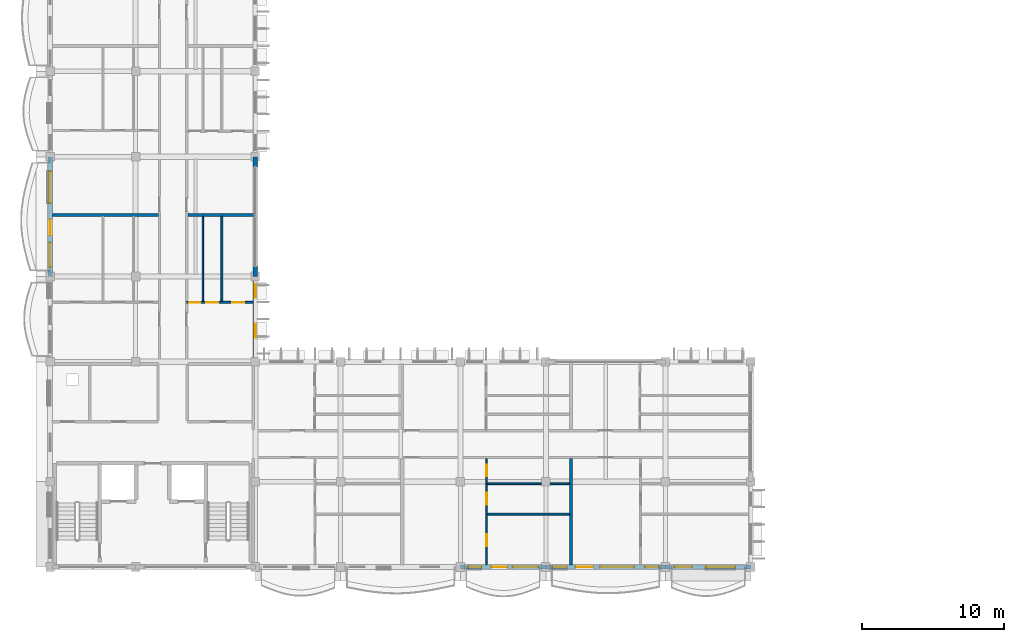
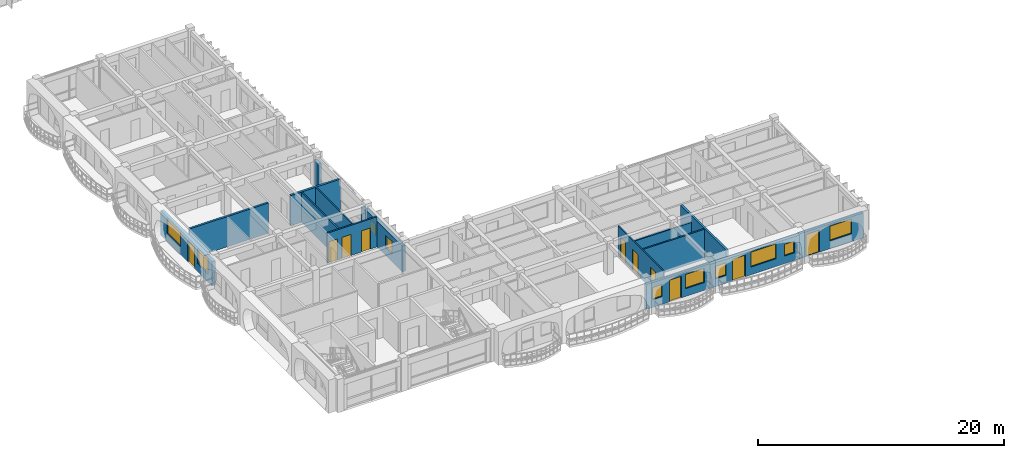
# One storey, part 25 of 76: 16 walls, 10 doors, 10 windows, 20 openings.
"""IFC4 building model written with IfcOpenShell, lengths in metres."""

from ifc_helpers import new_model, si_unit, direction, frame, frame_2d, origin, place, context, subcontext, project, spatial, rectangle, extrude, material, layer, layer_set, type_object, element, fill, save


model = new_model("IFC4")

# Units and contexts
model_context = context("Model", 3, precision=1e-05, world=origin(), true_north=direction((0.0, 1.0)))
body_context = subcontext(model_context, "Body", "Model", "MODEL_VIEW")
ifc_project = project(units=[si_unit("LENGTHUNIT", "METRE"), si_unit("AREAUNIT", "SQUARE_METRE"), si_unit("VOLUMEUNIT", "CUBIC_METRE"), si_unit("PLANEANGLEUNIT", "RADIAN"), si_unit("MASSUNIT", "GRAM", prefix="KILO"), si_unit("THERMODYNAMICTEMPERATUREUNIT", "KELVIN")], contexts=[model_context])

# Site, building, storey
site_placement = place(None, origin())
site = spatial("IfcSite", under=ifc_project, at=site_placement, CompositionType="ELEMENT")
building_placement = place(site_placement, origin())
building = spatial("IfcBuilding", under=site, at=building_placement, Name="Thalorik Housing Commons", CompositionType="ELEMENT")
storey_placement = place(building_placement, frame((0.0, 0.0, 18.0)))
storey = spatial("IfcBuildingStorey", under=building, at=storey_placement, Name="L05", CompositionType="ELEMENT", Elevation=18.0)

# Wall, openings, windows
ifc_material_1 = material(Name="White precast concrete C40/50", Category="concrete")
ifc_layer_1 = layer(ifc_material_1, 0.304931640625, Name="White precast concrete C40/50", Category="concrete")
ifc_layer_set_1 = layer_set([ifc_layer_1], Name="White precast concrete C40/50")
wall_type_1 = type_object("IfcWallType", Name="ARC-WAL-EXT-305", PredefinedType="STANDARD", material=ifc_layer_set_1)
wall_1_placement = place(storey_placement, frame((22.800048828125, 22.800048828125, 0.0), z_axis=(0.0, 0.0, 1.0), x_axis=(0.0, 1.0, 0.0)))
wall_1 = element("IfcWall", 1, at=wall_1_placement, inside=storey, type_object=wall_type_1, Name="L05 Exterior Wall WAL-EXT-L05-C-0961", PredefinedType="STANDARD", context=body_context, shape_type="SweptSolid", body=[
    extrude(rectangle(XDim=6.0, YDim=0.304931640625, at=frame_2d((3.0, 0.0))), origin(), (0.0, 0.0, 1.0), 2.574951171875),
])
opening_1_placement = place(wall_1_placement, frame((1.685302734375, 0.0, 0.780029296875)))
opening_1 = element("IfcOpeningElement", 2, at=opening_1_placement, cuts=wall_1, Name="Opening W-02", PredefinedType="OPENING", context=body_context, shape_type="SweptSolid", body=[
    extrude(rectangle(XDim=1.0, YDim=1.25, at=frame_2d((0.5, 0.625))), frame((0.0, 0.16259765625, 0.0), z_axis=(0.0, -1.0, 0.0), x_axis=(1.0, 0.0, 0.0)), (0.0, 0.0, 1.0), 0.324951171875),
])
opening_2_placement = place(wall_1_placement, frame((4.5205078125, 0.0, 0.780029296875)))
opening_2 = element("IfcOpeningElement", 3, at=opening_2_placement, cuts=wall_1, Name="Opening W-43", PredefinedType="OPENING", context=body_context, shape_type="SweptSolid", body=[
    extrude(rectangle(XDim=0.949951171875, YDim=1.14990234375, at=frame_2d((0.47509765625, 0.574951171875))), frame((0.0, 0.16259765625, 0.0), z_axis=(0.0, -1.0, 0.0), x_axis=(1.0, 0.0, 0.0)), (0.0, 0.0, 1.0), 0.324951171875),
])
ifc_material_2 = material(Name="Anodised aluminium and solar-control low-E glass", Category="aluminium")
window_type_1 = type_object("IfcWindowType", Name="ARC-WIN-02", PartitioningType="SINGLE_PANEL", PredefinedType="WINDOW", material=ifc_material_2)
window_1_placement = place(opening_1_placement, origin())
window_1 = element("IfcWindow", 4, at=window_1_placement, inside=storey, type_object=window_type_1, Name="L05 Facade Window 1778", OverallHeight=1.25, OverallWidth=1.0, PartitioningType="SINGLE_PANEL", PredefinedType="WINDOW", context=body_context, shape_type="SweptSolid", body=[
    extrude(rectangle(XDim=1.0, YDim=1.25, at=frame_2d((0.5, 0.625))), frame((0.0, 0.030029296875, 0.0), z_axis=(0.0, -1.0, 0.0), x_axis=(1.0, 0.0, 0.0)), (0.0, 0.0, 1.0), 0.06005859375),
])
fill(opening_1, window_1)
window_type_2 = type_object("IfcWindowType", Name="ARC-WIN-43", PartitioningType="SINGLE_PANEL", PredefinedType="WINDOW", material=ifc_material_2)
window_2_placement = place(opening_2_placement, origin())
window_2 = element("IfcWindow", 5, at=window_2_placement, inside=storey, type_object=window_type_2, Name="L05 Facade Window 1779", OverallHeight=1.14990234375, OverallWidth=0.949951171875, PartitioningType="SINGLE_PANEL", PredefinedType="WINDOW", context=body_context, shape_type="SweptSolid", body=[
    extrude(rectangle(XDim=0.949951171875, YDim=1.14990234375, at=frame_2d((0.47509765625, 0.574951171875))), frame((0.0, 0.030029296875, 0.0), z_axis=(0.0, -1.0, 0.0), x_axis=(1.0, 0.0, 0.0)), (0.0, 0.0, 1.0), 0.06005859375),
])
fill(opening_2, window_2)

# Walls
for number, where, z_axis, x_axis, name in (
    (6, (22.800048828125, 28.800048828125, 0.0), (0.0, 0.0, 1.0), (0.0, 1.0, 0.0), "L05 Exterior Wall WAL-PIERL-L05-C-0962"),
    (7, (22.800048828125, 36.5, 0.0), (0.0, 0.0, 1.0), (0.0, 1.0, 0.0), "L05 Exterior Wall WAL-PIERR-L05-C-0962"),
):
    element("IfcWall", number, at=place(storey_placement, frame(where, z_axis=z_axis, x_axis=x_axis)), inside=storey, type_object=wall_type_1, Name=name, PredefinedType="STANDARD", context=body_context, shape_type="SweptSolid", body=[
        extrude(rectangle(XDim=0.699951171875, YDim=0.304931640625, at=frame_2d((0.35009765625, 0.0))), origin(), (0.0, 0.0, 1.0), 2.425048828125),
    ])

# Wall, openings, door, windows
wall_2_placement = place(storey_placement, frame((8.39990234375, 37.199951171875, 0.0), z_axis=(0.0, 0.0, 1.0), x_axis=(0.0, -1.0, 0.0)))
wall_2 = element("IfcWall", 8, at=wall_2_placement, inside=storey, type_object=wall_type_1, Name="L05 Exterior Wall WAL-EXT-L05-C-0971", PredefinedType="STANDARD", context=body_context, shape_type="SweptSolid", body=[
    extrude(rectangle(XDim=8.39990234375, YDim=0.304931640625, at=frame_2d((4.199951171875, 0.0))), origin(), (0.0, 0.0, 1.0), 2.425048828125),
])
opening_3_placement = place(wall_2_placement, frame((4.409912109375, 0.0, 0.0)))
opening_3 = element("IfcOpeningElement", 9, at=opening_3_placement, cuts=wall_2, Name="Opening ED-0321", PredefinedType="OPENING", context=body_context, shape_type="SweptSolid", body=[
    extrude(rectangle(XDim=1.10009765625, YDim=2.14990234375, at=frame_2d((0.550048828125, 1.074951171875))), frame((0.0, 0.16259765625, 0.0), z_axis=(0.0, -1.0, 0.0), x_axis=(1.0, 0.0, 0.0)), (0.0, 0.0, 1.0), 0.324951171875),
])
opening_4_placement = place(wall_2_placement, frame((1.014892578125, 0.0, 0.780029296875)))
opening_4 = element("IfcOpeningElement", 10, at=opening_4_placement, cuts=wall_2, Name="Opening W-66", PredefinedType="OPENING", context=body_context, shape_type="SweptSolid", body=[
    extrude(rectangle(XDim=2.239990234375, YDim=1.52001953125, at=frame_2d((1.1201171875, 0.760009765625))), frame((0.0, 0.16259765625, 0.0), z_axis=(0.0, -1.0, 0.0), x_axis=(1.0, 0.0, 0.0)), (0.0, 0.0, 1.0), 0.324951171875),
])
opening_5_placement = place(wall_2_placement, frame((6.02490234375, 0.0, 0.780029296875)))
opening_5 = element("IfcOpeningElement", 11, at=opening_5_placement, cuts=wall_2, Name="Opening W-56", PredefinedType="OPENING", context=body_context, shape_type="SweptSolid", body=[
    extrude(rectangle(XDim=1.719970703125, YDim=1.52001953125, at=frame_2d((0.85986328125, 0.760009765625))), frame((0.0, 0.16259765625, 0.0), z_axis=(0.0, -1.0, 0.0), x_axis=(1.0, 0.0, 0.0)), (0.0, 0.0, 1.0), 0.324951171875),
])
ifc_material_3 = material(Name="Anodised aluminium and laminated safety glass", Category="aluminium")
door_type_1 = type_object("IfcDoorType", Name="ARC-DR-BAL-1100", OperationType="NOTDEFINED", PredefinedType="DOOR", material=ifc_material_3)
door_1_placement = place(opening_3_placement, frame((1.10009765625, 0.0, 0.0), z_axis=(0.0, 0.0, 1.0), x_axis=(-1.0, 0.0, 0.0)))
door_1 = element("IfcDoor", 12, at=door_1_placement, inside=storey, type_object=door_type_1, Name="L05 Block C Balcony Glazed Door", OperationType="SINGLE_SWING_RIGHT", OverallHeight=2.14990234375, OverallWidth=1.10009765625, PredefinedType="DOOR", context=body_context, shape_type="SweptSolid", body=[
    extrude(rectangle(XDim=1.10009765625, YDim=2.14990234375, at=frame_2d((0.550048828125, 1.074951171875))), frame((0.0, 0.02490234375, 0.0), z_axis=(0.0, -1.0, 0.0), x_axis=(1.0, 0.0, 0.0)), (0.0, 0.0, 1.0), 0.050048828125),
])
fill(opening_3, door_1)
window_type_3 = type_object("IfcWindowType", Name="ARC-WIN-56", PartitioningType="DOUBLE_PANEL_VERTICAL", PredefinedType="WINDOW", material=ifc_material_2)
window_3_placement = place(opening_5_placement, origin())
window_3 = element("IfcWindow", 13, at=window_3_placement, inside=storey, type_object=window_type_3, Name="L05 Facade Window 1798", OverallHeight=1.52001953125, OverallWidth=1.719970703125, PartitioningType="DOUBLE_PANEL_VERTICAL", PredefinedType="WINDOW", context=body_context, shape_type="SweptSolid", body=[
    extrude(rectangle(XDim=1.719970703125, YDim=1.52001953125, at=frame_2d((0.85986328125, 0.760009765625))), frame((0.0, 0.030029296875, 0.0), z_axis=(0.0, -1.0, 0.0), x_axis=(1.0, 0.0, 0.0)), (0.0, 0.0, 1.0), 0.06005859375),
])
fill(opening_5, window_3)
window_type_4 = type_object("IfcWindowType", Name="ARC-WIN-66", PartitioningType="DOUBLE_PANEL_VERTICAL", PredefinedType="WINDOW", material=ifc_material_2)
window_4_placement = place(opening_4_placement, origin())
window_4 = element("IfcWindow", 14, at=window_4_placement, inside=storey, type_object=window_type_4, Name="L05 Facade Window 1797", OverallHeight=1.52001953125, OverallWidth=2.239990234375, PartitioningType="DOUBLE_PANEL_VERTICAL", PredefinedType="WINDOW", context=body_context, shape_type="SweptSolid", body=[
    extrude(rectangle(XDim=2.239990234375, YDim=1.52001953125, at=frame_2d((1.1201171875, 0.760009765625))), frame((0.0, 0.030029296875, 0.0), z_axis=(0.0, -1.0, 0.0), x_axis=(1.0, 0.0, 0.0)), (0.0, 0.0, 1.0), 0.06005859375),
])
fill(opening_4, window_4)

wall_3_placement = place(storey_placement, frame((37.199951171875, 8.39990234375, 0.0), z_axis=(0.0, 0.0, 1.0), x_axis=(1.0, 0.0, 0.0)))
wall_3 = element("IfcWall", 15, at=wall_3_placement, inside=storey, type_object=wall_type_1, Name="L05 Exterior Wall WAL-EXT-L05-C-0979", PredefinedType="STANDARD", context=body_context, shape_type="SweptSolid", body=[
    extrude(rectangle(XDim=6.0, YDim=0.304931640625, at=frame_2d((3.0, 0.0))), origin(), (0.0, 0.0, 1.0), 2.47509765625),
])
opening_6_placement = place(wall_3_placement, frame((2.179931640625, 0.0, 0.0)))
opening_6 = element("IfcOpeningElement", 16, at=opening_6_placement, cuts=wall_3, Name="Opening ED-0325", PredefinedType="OPENING", context=body_context, shape_type="SweptSolid", body=[
    extrude(rectangle(XDim=1.10009765625, YDim=2.14990234375, at=frame_2d((0.550048828125, 1.074951171875))), frame((0.0, 0.16259765625, 0.0), z_axis=(0.0, -1.0, 0.0), x_axis=(1.0, 0.0, 0.0)), (0.0, 0.0, 1.0), 0.324951171875),
])
opening_7_placement = place(wall_3_placement, frame((0.570068359375, 0.0, 0.780029296875)))
opening_7 = element("IfcOpeningElement", 17, at=opening_7_placement, cuts=wall_3, Name="Opening W-01", PredefinedType="OPENING", context=body_context, shape_type="SweptSolid", body=[
    extrude(rectangle(XDim=0.89990234375, YDim=1.199951171875, at=frame_2d((0.449951171875, 0.60009765625))), frame((0.0, 0.16259765625, 0.0), z_axis=(0.0, -1.0, 0.0), x_axis=(1.0, 0.0, 0.0)), (0.0, 0.0, 1.0), 0.324951171875),
])
opening_8_placement = place(wall_3_placement, frame((3.679931640625, 0.0, 0.780029296875)))
opening_8 = element("IfcOpeningElement", 18, at=opening_8_placement, cuts=wall_3, Name="Opening W-57", PredefinedType="OPENING", context=body_context, shape_type="SweptSolid", body=[
    extrude(rectangle(XDim=1.780029296875, YDim=1.419921875, at=frame_2d((0.89013671875, 0.7099609375))), frame((0.0, 0.16259765625, 0.0), z_axis=(0.0, -1.0, 0.0), x_axis=(1.0, 0.0, 0.0)), (0.0, 0.0, 1.0), 0.324951171875),
])
door_2_placement = place(opening_6_placement, frame((1.10009765625, 0.0, 0.0), z_axis=(0.0, 0.0, 1.0), x_axis=(-1.0, 0.0, 0.0)))
door_2 = element("IfcDoor", 19, at=door_2_placement, inside=storey, type_object=door_type_1, Name="L05 Block C Balcony Glazed Door", OperationType="SINGLE_SWING_RIGHT", OverallHeight=2.14990234375, OverallWidth=1.10009765625, PredefinedType="DOOR", context=body_context, shape_type="SweptSolid", body=[
    extrude(rectangle(XDim=1.10009765625, YDim=2.14990234375, at=frame_2d((0.550048828125, 1.074951171875))), frame((0.0, 0.02490234375, 0.0), z_axis=(0.0, -1.0, 0.0), x_axis=(1.0, 0.0, 0.0)), (0.0, 0.0, 1.0), 0.050048828125),
])
fill(opening_6, door_2)
window_type_5 = type_object("IfcWindowType", Name="ARC-WIN-01", PartitioningType="SINGLE_PANEL", PredefinedType="WINDOW", material=ifc_material_2)
window_5_placement = place(opening_7_placement, origin())
window_5 = element("IfcWindow", 20, at=window_5_placement, inside=storey, type_object=window_type_5, Name="L05 Facade Window 1809", OverallHeight=1.199951171875, OverallWidth=0.89990234375, PartitioningType="SINGLE_PANEL", PredefinedType="WINDOW", context=body_context, shape_type="SweptSolid", body=[
    extrude(rectangle(XDim=0.89990234375, YDim=1.199951171875, at=frame_2d((0.449951171875, 0.60009765625))), frame((0.0, 0.030029296875, 0.0), z_axis=(0.0, -1.0, 0.0), x_axis=(1.0, 0.0, 0.0)), (0.0, 0.0, 1.0), 0.06005859375),
])
fill(opening_7, window_5)
window_type_6 = type_object("IfcWindowType", Name="ARC-WIN-57", PartitioningType="DOUBLE_PANEL_VERTICAL", PredefinedType="WINDOW", material=ifc_material_2)
window_6_placement = place(opening_8_placement, origin())
window_6 = element("IfcWindow", 21, at=window_6_placement, inside=storey, type_object=window_type_6, Name="L05 Facade Window 1810", OverallHeight=1.419921875, OverallWidth=1.780029296875, PartitioningType="DOUBLE_PANEL_VERTICAL", PredefinedType="WINDOW", context=body_context, shape_type="SweptSolid", body=[
    extrude(rectangle(XDim=1.780029296875, YDim=1.419921875, at=frame_2d((0.89013671875, 0.7099609375))), frame((0.0, 0.030029296875, 0.0), z_axis=(0.0, -1.0, 0.0), x_axis=(1.0, 0.0, 0.0)), (0.0, 0.0, 1.0), 0.06005859375),
])
fill(opening_8, window_6)

wall_4_placement = place(storey_placement, frame((43.199951171875, 8.39990234375, 0.0), z_axis=(0.0, 0.0, 1.0), x_axis=(1.0, 0.0, 0.0)))
wall_4 = element("IfcWall", 22, at=wall_4_placement, inside=storey, type_object=wall_type_1, Name="L05 Exterior Wall WAL-EXT-L05-C-0980", PredefinedType="STANDARD", context=body_context, shape_type="SweptSolid", body=[
    extrude(rectangle(XDim=8.400146484375, YDim=0.304931640625, at=frame_2d((4.2001953125, 0.0))), origin(), (0.0, 0.0, 1.0), 2.375),
])
opening_9_placement = place(wall_4_placement, frame((2.110107421875, 0.0, 0.0)))
opening_9 = element("IfcOpeningElement", 23, at=opening_9_placement, cuts=wall_4, Name="Opening ED-0326", PredefinedType="OPENING", context=body_context, shape_type="SweptSolid", body=[
    extrude(rectangle(XDim=1.199951171875, YDim=2.14990234375, at=frame_2d((0.60009765625, 1.074951171875))), frame((0.0, 0.16259765625, 0.0), z_axis=(0.0, -1.0, 0.0), x_axis=(1.0, 0.0, 0.0)), (0.0, 0.0, 1.0), 0.324951171875),
])
opening_10_placement = place(wall_4_placement, frame((0.485107421875, 0.0, 0.780029296875)))
opening_10 = element("IfcOpeningElement", 24, at=opening_10_placement, cuts=wall_4, Name="Opening W-02", PredefinedType="OPENING", context=body_context, shape_type="SweptSolid", body=[
    extrude(rectangle(XDim=1.0, YDim=1.25, at=frame_2d((0.5, 0.625))), frame((0.0, 0.16259765625, 0.0), z_axis=(0.0, -1.0, 0.0), x_axis=(1.0, 0.0, 0.0)), (0.0, 0.0, 1.0), 0.324951171875),
])
opening_11_placement = place(wall_4_placement, frame((3.820068359375, 0.0, 0.780029296875)))
opening_11 = element("IfcOpeningElement", 25, at=opening_11_placement, cuts=wall_4, Name="Opening W-69", PredefinedType="OPENING", context=body_context, shape_type="SweptSolid", body=[
    extrude(rectangle(XDim=2.3798828125, YDim=1.47998046875, at=frame_2d((1.18994140625, 0.739990234375))), frame((0.0, 0.16259765625, 0.0), z_axis=(0.0, -1.0, 0.0), x_axis=(1.0, 0.0, 0.0)), (0.0, 0.0, 1.0), 0.324951171875),
])
opening_12_placement = place(wall_4_placement, frame((6.9599609375, 0.0, 0.780029296875)))
opening_12 = element("IfcOpeningElement", 26, at=opening_12_placement, cuts=wall_4, Name="Opening W-43", PredefinedType="OPENING", context=body_context, shape_type="SweptSolid", body=[
    extrude(rectangle(XDim=0.949951171875, YDim=1.14990234375, at=frame_2d((0.47509765625, 0.574951171875))), frame((0.0, 0.16259765625, 0.0), z_axis=(0.0, -1.0, 0.0), x_axis=(1.0, 0.0, 0.0)), (0.0, 0.0, 1.0), 0.324951171875),
])
door_type_2 = type_object("IfcDoorType", Name="ARC-DR-BAL-1200", OperationType="NOTDEFINED", PredefinedType="DOOR", material=ifc_material_3)
door_3_placement = place(opening_9_placement, frame((1.199951171875, 0.0, 0.0), z_axis=(0.0, 0.0, 1.0), x_axis=(-1.0, 0.0, 0.0)))
door_3 = element("IfcDoor", 27, at=door_3_placement, inside=storey, type_object=door_type_2, Name="L05 Block C Balcony Glazed Door", OperationType="SINGLE_SWING_LEFT", OverallHeight=2.14990234375, OverallWidth=1.199951171875, PredefinedType="DOOR", context=body_context, shape_type="SweptSolid", body=[
    extrude(rectangle(XDim=1.199951171875, YDim=2.14990234375, at=frame_2d((0.60009765625, 1.074951171875))), frame((0.0, 0.02490234375, 0.0), z_axis=(0.0, -1.0, 0.0), x_axis=(1.0, 0.0, 0.0)), (0.0, 0.0, 1.0), 0.050048828125),
])
fill(opening_9, door_3)
window_7_placement = place(opening_10_placement, origin())
window_7 = element("IfcWindow", 28, at=window_7_placement, inside=storey, type_object=window_type_1, Name="L05 Facade Window 1811", OverallHeight=1.25, OverallWidth=1.0, PartitioningType="SINGLE_PANEL", PredefinedType="WINDOW", context=body_context, shape_type="SweptSolid", body=[
    extrude(rectangle(XDim=1.0, YDim=1.25, at=frame_2d((0.5, 0.625))), frame((0.0, 0.030029296875, 0.0), z_axis=(0.0, -1.0, 0.0), x_axis=(1.0, 0.0, 0.0)), (0.0, 0.0, 1.0), 0.06005859375),
])
fill(opening_10, window_7)
window_8_placement = place(opening_12_placement, origin())
window_8 = element("IfcWindow", 29, at=window_8_placement, inside=storey, type_object=window_type_2, Name="L05 Facade Window 1813", OverallHeight=1.14990234375, OverallWidth=0.949951171875, PartitioningType="SINGLE_PANEL", PredefinedType="WINDOW", context=body_context, shape_type="SweptSolid", body=[
    extrude(rectangle(XDim=0.949951171875, YDim=1.14990234375, at=frame_2d((0.47509765625, 0.574951171875))), frame((0.0, 0.030029296875, 0.0), z_axis=(0.0, -1.0, 0.0), x_axis=(1.0, 0.0, 0.0)), (0.0, 0.0, 1.0), 0.06005859375),
])
fill(opening_12, window_8)
window_type_7 = type_object("IfcWindowType", Name="ARC-WIN-69", PartitioningType="DOUBLE_PANEL_VERTICAL", PredefinedType="WINDOW", material=ifc_material_2)
window_9_placement = place(opening_11_placement, origin())
window_9 = element("IfcWindow", 30, at=window_9_placement, inside=storey, type_object=window_type_7, Name="L05 Facade Window 1812", OverallHeight=1.47998046875, OverallWidth=2.3798828125, PartitioningType="DOUBLE_PANEL_VERTICAL", PredefinedType="WINDOW", context=body_context, shape_type="SweptSolid", body=[
    extrude(rectangle(XDim=2.3798828125, YDim=1.47998046875, at=frame_2d((1.18994140625, 0.739990234375))), frame((0.0, 0.030029296875, 0.0), z_axis=(0.0, -1.0, 0.0), x_axis=(1.0, 0.0, 0.0)), (0.0, 0.0, 1.0), 0.06005859375),
])
fill(opening_11, window_9)

# Wall, openings, door, window
wall_5_placement = place(storey_placement, frame((51.60009765625, 8.39990234375, 0.0), z_axis=(0.0, 0.0, 1.0), x_axis=(1.0, 0.0, 0.0)))
wall_5 = element("IfcWall", 31, at=wall_5_placement, inside=storey, type_object=wall_type_1, Name="L05 Exterior Wall WAL-EXT-L05-C-0981", PredefinedType="STANDARD", context=body_context, shape_type="SweptSolid", body=[
    extrude(rectangle(XDim=6.0, YDim=0.304931640625, at=frame_2d((3.0, 0.0))), origin(), (0.0, 0.0, 1.0), 2.47509765625),
])
opening_13_placement = place(wall_5_placement, frame((0.6201171875, 0.0, 0.0)))
opening_13 = element("IfcOpeningElement", 32, at=opening_13_placement, cuts=wall_5, Name="Opening ED-0327", PredefinedType="OPENING", context=body_context, shape_type="SweptSolid", body=[
    extrude(rectangle(XDim=1.25, YDim=2.199951171875, at=frame_2d((0.625, 1.10009765625))), frame((0.0, 0.16259765625, 0.0), z_axis=(0.0, -1.0, 0.0), x_axis=(1.0, 0.0, 0.0)), (0.0, 0.0, 1.0), 0.324951171875),
])
opening_14_placement = place(wall_5_placement, frame((2.844970703125, 0.0, 0.780029296875)))
opening_14 = element("IfcOpeningElement", 33, at=opening_14_placement, cuts=wall_5, Name="Opening W-62", PredefinedType="OPENING", context=body_context, shape_type="SweptSolid", body=[
    extrude(rectangle(XDim=2.0400390625, YDim=1.4599609375, at=frame_2d((1.02001953125, 0.72998046875))), frame((0.0, 0.16259765625, 0.0), z_axis=(0.0, -1.0, 0.0), x_axis=(1.0, 0.0, 0.0)), (0.0, 0.0, 1.0), 0.324951171875),
])
door_type_3 = type_object("IfcDoorType", Name="ARC-DR-BAL-1250", OperationType="NOTDEFINED", PredefinedType="DOOR", material=ifc_material_3)
door_4_placement = place(opening_13_placement, frame((1.25, 0.0, 0.0), z_axis=(0.0, 0.0, 1.0), x_axis=(-1.0, 0.0, 0.0)))
door_4 = element("IfcDoor", 34, at=door_4_placement, inside=storey, type_object=door_type_3, Name="L05 Block C Balcony Glazed Door", OperationType="SINGLE_SWING_RIGHT", OverallHeight=2.199951171875, OverallWidth=1.25, PredefinedType="DOOR", context=body_context, shape_type="SweptSolid", body=[
    extrude(rectangle(XDim=1.25, YDim=2.199951171875, at=frame_2d((0.625, 1.10009765625))), frame((0.0, 0.02490234375, 0.0), z_axis=(0.0, -1.0, 0.0), x_axis=(1.0, 0.0, 0.0)), (0.0, 0.0, 1.0), 0.050048828125),
])
fill(opening_13, door_4)
window_type_8 = type_object("IfcWindowType", Name="ARC-WIN-62", PartitioningType="DOUBLE_PANEL_VERTICAL", PredefinedType="WINDOW", material=ifc_material_2)
window_10_placement = place(opening_14_placement, origin())
window_10 = element("IfcWindow", 35, at=window_10_placement, inside=storey, type_object=window_type_8, Name="L05 Facade Window 1814", OverallHeight=1.4599609375, OverallWidth=2.0400390625, PartitioningType="DOUBLE_PANEL_VERTICAL", PredefinedType="WINDOW", context=body_context, shape_type="SweptSolid", body=[
    extrude(rectangle(XDim=2.0400390625, YDim=1.4599609375, at=frame_2d((1.02001953125, 0.72998046875))), frame((0.0, 0.030029296875, 0.0), z_axis=(0.0, -1.0, 0.0), x_axis=(1.0, 0.0, 0.0)), (0.0, 0.0, 1.0), 0.06005859375),
])
fill(opening_14, window_10)

# Wall, openings, doors
ifc_material_4 = material(Name="Gypsum light stud partition", Category="masonry")
ifc_layer_2 = layer(ifc_material_4, 0.10009765625, Name="Gypsum light stud partition", Category="masonry")
ifc_layer_set_2 = layer_set([ifc_layer_2], Name="Gypsum light stud partition")
wall_type_2 = type_object("IfcWallType", Name="ARC-WAL-PART-100", PredefinedType="PARTITIONING", material=ifc_layer_set_2)
wall_6_placement = place(storey_placement, frame((39.050048828125, 8.554443359375, 0.0), z_axis=(0.0, 0.0, 1.0), x_axis=(0.0, 1.0, 0.0)))
wall_6 = element("IfcWall", 36, at=wall_6_placement, inside=storey, type_object=wall_type_2, Name="L05 Unit 2 Spine Partition", PredefinedType="PARTITIONING", context=body_context, shape_type="SweptSolid", body=[
    extrude(rectangle(XDim=7.448486328125, YDim=0.10009765625, at=frame_2d((3.72412109375, 0.0))), origin(), (0.0, 0.0, 1.0), 3.0),
])
opening_15_placement = place(wall_6_placement, frame((1.309326171875, 0.0, 0.0)))
opening_15 = element("IfcOpeningElement", 37, at=opening_15_placement, cuts=wall_6, Name="Opening ID-1776", PredefinedType="OPENING", context=body_context, shape_type="SweptSolid", body=[
    extrude(rectangle(XDim=0.820068359375, YDim=2.080078125, at=frame_2d((0.41015625, 1.0400390625))), frame((0.0, 0.06005859375, 0.0), z_axis=(0.0, -1.0, 0.0), x_axis=(1.0, 0.0, 0.0)), (0.0, 0.0, 1.0), 0.1201171875),
])
opening_16_placement = place(wall_6_placement, frame((4.204833984375, 0.0, 0.0)))
opening_16 = element("IfcOpeningElement", 38, at=opening_16_placement, cuts=wall_6, Name="Opening ID-1777", PredefinedType="OPENING", context=body_context, shape_type="SweptSolid", body=[
    extrude(rectangle(XDim=0.85009765625, YDim=2.10009765625, at=frame_2d((0.425048828125, 1.050048828125))), frame((0.0, 0.06005859375, 0.0), z_axis=(0.0, -1.0, 0.0), x_axis=(1.0, 0.0, 0.0)), (0.0, 0.0, 1.0), 0.1201171875),
])
opening_17_placement = place(wall_6_placement, frame((6.211181640625, 0.0, 0.0)))
opening_17 = element("IfcOpeningElement", 39, at=opening_17_placement, cuts=wall_6, Name="Opening ID-1778", PredefinedType="OPENING", context=body_context, shape_type="SweptSolid", body=[
    extrude(rectangle(XDim=0.800048828125, YDim=2.10009765625, at=frame_2d((0.39990234375, 1.050048828125))), frame((0.0, 0.06005859375, 0.0), z_axis=(0.0, -1.0, 0.0), x_axis=(1.0, 0.0, 0.0)), (0.0, 0.0, 1.0), 0.1201171875),
])
ifc_material_5 = material(Name="Moisture-resistant timber", Category="wood")
door_type_4 = type_object("IfcDoorType", Name="ARC-DR-INT-800", OperationType="NOTDEFINED", PredefinedType="DOOR", material=ifc_material_5)
door_5_placement = place(opening_17_placement, origin())
door_5 = element("IfcDoor", 40, at=door_5_placement, inside=storey, type_object=door_type_4, Name="L05 Flat Bathroom Door", OperationType="SINGLE_SWING_LEFT", OverallHeight=2.10009765625, OverallWidth=0.800048828125, PredefinedType="DOOR", context=body_context, shape_type="SweptSolid", body=[
    extrude(rectangle(XDim=0.800048828125, YDim=2.10009765625, at=frame_2d((0.39990234375, 1.050048828125))), frame((0.0, 0.02490234375, 0.0), z_axis=(0.0, -1.0, 0.0), x_axis=(1.0, 0.0, 0.0)), (0.0, 0.0, 1.0), 0.050048828125),
])
fill(opening_17, door_5)
ifc_material_6 = material(Name="Engineered oak timber", Category="wood")
door_type_5 = type_object("IfcDoorType", Name="ARC-DR-INT-820", OperationType="NOTDEFINED", PredefinedType="DOOR", material=ifc_material_6)
door_6_placement = place(opening_15_placement, origin())
door_6 = element("IfcDoor", 41, at=door_6_placement, inside=storey, type_object=door_type_5, Name="L05 Master Bedroom Door", OperationType="SINGLE_SWING_LEFT", OverallHeight=2.080078125, OverallWidth=0.820068359375, PredefinedType="DOOR", context=body_context, shape_type="SweptSolid", body=[
    extrude(rectangle(XDim=0.820068359375, YDim=2.080078125, at=frame_2d((0.41015625, 1.0400390625))), frame((0.0, 0.02490234375, 0.0), z_axis=(0.0, -1.0, 0.0), x_axis=(1.0, 0.0, 0.0)), (0.0, 0.0, 1.0), 0.050048828125),
])
fill(opening_15, door_6)
door_type_6 = type_object("IfcDoorType", Name="ARC-DR-INT-850", OperationType="NOTDEFINED", PredefinedType="DOOR", material=ifc_material_6)
door_7_placement = place(opening_16_placement, origin())
door_7 = element("IfcDoor", 42, at=door_7_placement, inside=storey, type_object=door_type_6, Name="L05 Galley Kitchen Door", OperationType="SINGLE_SWING_RIGHT", OverallHeight=2.10009765625, OverallWidth=0.85009765625, PredefinedType="DOOR", context=body_context, shape_type="SweptSolid", body=[
    extrude(rectangle(XDim=0.85009765625, YDim=2.10009765625, at=frame_2d((0.425048828125, 1.050048828125))), frame((0.0, 0.02490234375, 0.0), z_axis=(0.0, -1.0, 0.0), x_axis=(1.0, 0.0, 0.0)), (0.0, 0.0, 1.0), 0.050048828125),
])
fill(opening_16, door_7)

# Walls
ifc_material_7 = material(Name="Gypsum moisture-resistant partition", Category="masonry")
ifc_layer_3 = layer(ifc_material_7, 0.114990234375, Name="Gypsum moisture-resistant partition", Category="masonry")
ifc_layer_set_3 = layer_set([ifc_layer_3], Name="Gypsum moisture-resistant partition")
wall_type_3 = type_object("IfcWallType", Name="ARC-WAL-PART-115", PredefinedType="PARTITIONING", material=ifc_layer_set_3)
wall_7_placement = place(storey_placement, frame((19.122314453125, 27.052734375, 0.0), z_axis=(0.0, 0.0, 1.0), x_axis=(0.0, 1.0, 0.0)))
element("IfcWall", 43, at=wall_7_placement, inside=storey, type_object=wall_type_3, Name="L05 Unit 1B Wet Wall", PredefinedType="PARTITIONING", context=body_context, shape_type="SweptSolid", body=[
    extrude(rectangle(XDim=5.96533203125, YDim=0.114990234375, at=frame_2d((2.982666015625, 0.0))), origin(), (0.0, 0.0, 1.0), 3.0),
])
ifc_material_8 = material(Name="Gypsum acoustic stud partition", Category="masonry")
ifc_layer_4 = layer(ifc_material_8, 0.125, Name="Gypsum acoustic stud partition", Category="masonry")
ifc_layer_set_4 = layer_set([ifc_layer_4], Name="Gypsum acoustic stud partition")
wall_type_4 = type_object("IfcWallType", Name="ARC-WAL-PART-125", PredefinedType="PARTITIONING", material=ifc_layer_set_4)
wall_8_placement = place(storey_placement, frame((20.455078125, 27.052734375, 0.0), z_axis=(0.0, 0.0, 1.0), x_axis=(0.0, 1.0, 0.0)))
element("IfcWall", 44, at=wall_8_placement, inside=storey, type_object=wall_type_4, Name="L05 Unit 1B Bedroom Partition", PredefinedType="PARTITIONING", context=body_context, shape_type="SweptSolid", body=[
    extrude(rectangle(XDim=5.96533203125, YDim=0.125, at=frame_2d((2.982666015625, 0.0))), origin(), (0.0, 0.0, 1.0), 3.0),
])
wall_9_placement = place(storey_placement, frame((39.10205078125, 14.251220703125, 0.0), z_axis=(0.0, 0.0, 1.0), x_axis=(1.0, 0.0, 0.0)))
element("IfcWall", 45, at=wall_9_placement, inside=storey, type_object=wall_type_4, Name="L05 Unit 2 Wet Wall", PredefinedType="PARTITIONING", context=body_context, shape_type="SweptSolid", body=[
    extrude(rectangle(XDim=5.77587890625, YDim=0.125, at=frame_2d((2.887939453125, 0.0))), origin(), (0.0, 0.0, 1.0), 2.375),
])

# Wall, openings, doors
ifc_material_9 = material(Name="Ceramic masonry partition wall", Category="masonry")
ifc_layer_5 = layer(ifc_material_9, 0.139892578125, Name="Ceramic masonry partition wall", Category="masonry")
ifc_layer_set_5 = layer_set([ifc_layer_5], Name="Ceramic masonry partition wall")
wall_type_5 = type_object("IfcWallType", Name="ARC-WAL-PART-140", PredefinedType="PARTITIONING", material=ifc_layer_set_5)
wall_10_placement = place(storey_placement, frame((17.97998046875, 26.980712890625, 0.0), z_axis=(0.0, 0.0, 1.0), x_axis=(1.0, 0.0, 0.0)))
wall_10 = element("IfcWall", 46, at=wall_10_placement, inside=storey, type_object=wall_type_5, Name="L05 Unit 1B Spine Partition", PredefinedType="PARTITIONING", context=body_context, shape_type="SweptSolid", body=[
    extrude(rectangle(XDim=4.66552734375, YDim=0.139892578125, at=frame_2d((2.332763671875, 0.0))), origin(), (0.0, 0.0, 1.0), 3.0),
])
opening_18_placement = place(wall_10_placement, frame((0.171142578125, 0.0, 0.0)))
opening_18 = element("IfcOpeningElement", 47, at=opening_18_placement, cuts=wall_10, Name="Opening ID-1749", PredefinedType="OPENING", context=body_context, shape_type="SweptSolid", body=[
    extrude(rectangle(XDim=0.800048828125, YDim=2.10009765625, at=frame_2d((0.39990234375, 1.050048828125))), frame((0.0, 0.080078125, 0.0), z_axis=(0.0, -1.0, 0.0), x_axis=(1.0, 0.0, 0.0)), (0.0, 0.0, 1.0), 0.159912109375),
])
opening_19_placement = place(wall_10_placement, frame((1.3837890625, 0.0, 0.0)))
opening_19 = element("IfcOpeningElement", 48, at=opening_19_placement, cuts=wall_10, Name="Opening ID-1750", PredefinedType="OPENING", context=body_context, shape_type="SweptSolid", body=[
    extrude(rectangle(XDim=0.85009765625, YDim=2.10009765625, at=frame_2d((0.425048828125, 1.050048828125))), frame((0.0, 0.080078125, 0.0), z_axis=(0.0, -1.0, 0.0), x_axis=(1.0, 0.0, 0.0)), (0.0, 0.0, 1.0), 0.159912109375),
])
opening_20_placement = place(wall_10_placement, frame((3.192626953125, 0.0, 0.0)))
opening_20 = element("IfcOpeningElement", 49, at=opening_20_placement, cuts=wall_10, Name="Opening ID-1751", PredefinedType="OPENING", context=body_context, shape_type="SweptSolid", body=[
    extrude(rectangle(XDim=0.85009765625, YDim=2.10009765625, at=frame_2d((0.425048828125, 1.050048828125))), frame((0.0, 0.080078125, 0.0), z_axis=(0.0, -1.0, 0.0), x_axis=(1.0, 0.0, 0.0)), (0.0, 0.0, 1.0), 0.159912109375),
])
door_8_placement = place(opening_18_placement, origin())
door_8 = element("IfcDoor", 50, at=door_8_placement, inside=storey, type_object=door_type_4, Name="L05 Flat Bathroom Door", OperationType="SINGLE_SWING_RIGHT", OverallHeight=2.10009765625, OverallWidth=0.800048828125, PredefinedType="DOOR", context=body_context, shape_type="SweptSolid", body=[
    extrude(rectangle(XDim=0.800048828125, YDim=2.10009765625, at=frame_2d((0.39990234375, 1.050048828125))), frame((0.0, 0.02490234375, 0.0), z_axis=(0.0, -1.0, 0.0), x_axis=(1.0, 0.0, 0.0)), (0.0, 0.0, 1.0), 0.050048828125),
])
fill(opening_18, door_8)
door_9_placement = place(opening_19_placement, origin())
door_9 = element("IfcDoor", 51, at=door_9_placement, inside=storey, type_object=door_type_6, Name="L05 Eat-In Kitchen Door", OperationType="SINGLE_SWING_LEFT", OverallHeight=2.10009765625, OverallWidth=0.85009765625, PredefinedType="DOOR", context=body_context, shape_type="SweptSolid", body=[
    extrude(rectangle(XDim=0.85009765625, YDim=2.10009765625, at=frame_2d((0.425048828125, 1.050048828125))), frame((0.0, 0.02490234375, 0.0), z_axis=(0.0, -1.0, 0.0), x_axis=(1.0, 0.0, 0.0)), (0.0, 0.0, 1.0), 0.050048828125),
])
fill(opening_19, door_9)
door_10_placement = place(opening_20_placement, origin())
door_10 = element("IfcDoor", 52, at=door_10_placement, inside=storey, type_object=door_type_6, Name="L05 Master Bedroom Door", OperationType="SINGLE_SWING_RIGHT", OverallHeight=2.10009765625, OverallWidth=0.85009765625, PredefinedType="DOOR", context=body_context, shape_type="SweptSolid", body=[
    extrude(rectangle(XDim=0.85009765625, YDim=2.10009765625, at=frame_2d((0.425048828125, 1.050048828125))), frame((0.0, 0.02490234375, 0.0), z_axis=(0.0, -1.0, 0.0), x_axis=(1.0, 0.0, 0.0)), (0.0, 0.0, 1.0), 0.050048828125),
])
fill(opening_20, door_10)

# Walls
wall_11_placement = place(storey_placement, frame((39.10205078125, 12.11767578125, 0.0), z_axis=(0.0, 0.0, 1.0), x_axis=(1.0, 0.0, 0.0)))
element("IfcWall", 53, at=wall_11_placement, inside=storey, type_object=wall_type_5, Name="L05 Unit 2 Bedroom Partition", PredefinedType="PARTITIONING", context=body_context, shape_type="SweptSolid", body=[
    extrude(rectangle(XDim=5.77587890625, YDim=0.139892578125, at=frame_2d((2.887939453125, 0.0))), origin(), (0.0, 0.0, 1.0), 3.0),
])
ifc_material_10 = material(Name="Masonry acoustic blockwork wall", Category="masonry")
ifc_layer_6 = layer(ifc_material_10, 0.18505859375, Name="Masonry acoustic blockwork wall", Category="masonry")
ifc_layer_set_6 = layer_set([ifc_layer_6], Name="Masonry acoustic blockwork wall")
wall_type_6 = type_object("IfcWallType", Name="ARC-WAL-PARTY-185", PredefinedType="PARTITIONING", material=ifc_layer_set_6)
wall_12_placement = place(storey_placement, frame((8.554443359375, 33.1201171875, 0.0), z_axis=(0.0, 0.0, 1.0), x_axis=(1.0, 0.0, 0.0)))
element("IfcWall", 54, at=wall_12_placement, inside=storey, type_object=wall_type_6, Name="L05 Inter-Tenancy Wall 1A", PredefinedType="PARTITIONING", context=body_context, shape_type="SweptSolid", body=[
    extrude(rectangle(XDim=7.448486328125, YDim=0.18505859375, at=frame_2d((3.72412109375, 0.0))), origin(), (0.0, 0.0, 1.0), 3.0),
])
ifc_material_11 = material(Name="Precast concrete C40/50 acoustic wall", Category="concrete")
ifc_layer_7 = layer(ifc_material_11, 0.199951171875, Name="Precast concrete C40/50 acoustic wall", Category="concrete")
ifc_layer_set_7 = layer_set([ifc_layer_7], Name="Precast concrete C40/50 acoustic wall")
wall_type_7 = type_object("IfcWallType", Name="ARC-WAL-PARTY-200", PredefinedType="PARTITIONING", material=ifc_layer_set_7)
wall_13_placement = place(storey_placement, frame((18.064453125, 33.1201171875, 0.0), z_axis=(0.0, 0.0, 1.0), x_axis=(1.0, 0.0, 0.0)))
element("IfcWall", 55, at=wall_13_placement, inside=storey, type_object=wall_type_7, Name="L05 Inter-Tenancy Wall 1B", PredefinedType="PARTITIONING", context=body_context, shape_type="SweptSolid", body=[
    extrude(rectangle(XDim=4.675537109375, YDim=0.199951171875, at=frame_2d((2.337890625, 0.0))), origin(), (0.0, 0.0, 1.0), 3.0),
])
wall_14_placement = place(storey_placement, frame((44.97998046875, 8.554443359375, 0.0), z_axis=(0.0, 0.0, 1.0), x_axis=(0.0, 1.0, 0.0)))
element("IfcWall", 56, at=wall_14_placement, inside=storey, type_object=wall_type_7, Name="L05 Inter-Tenancy Wall 2A", PredefinedType="PARTITIONING", context=body_context, shape_type="SweptSolid", body=[
    extrude(rectangle(XDim=7.448486328125, YDim=0.199951171875, at=frame_2d((3.72412109375, 0.0))), origin(), (0.0, 0.0, 1.0), 3.0),
])

save(model, "model.ifc")
